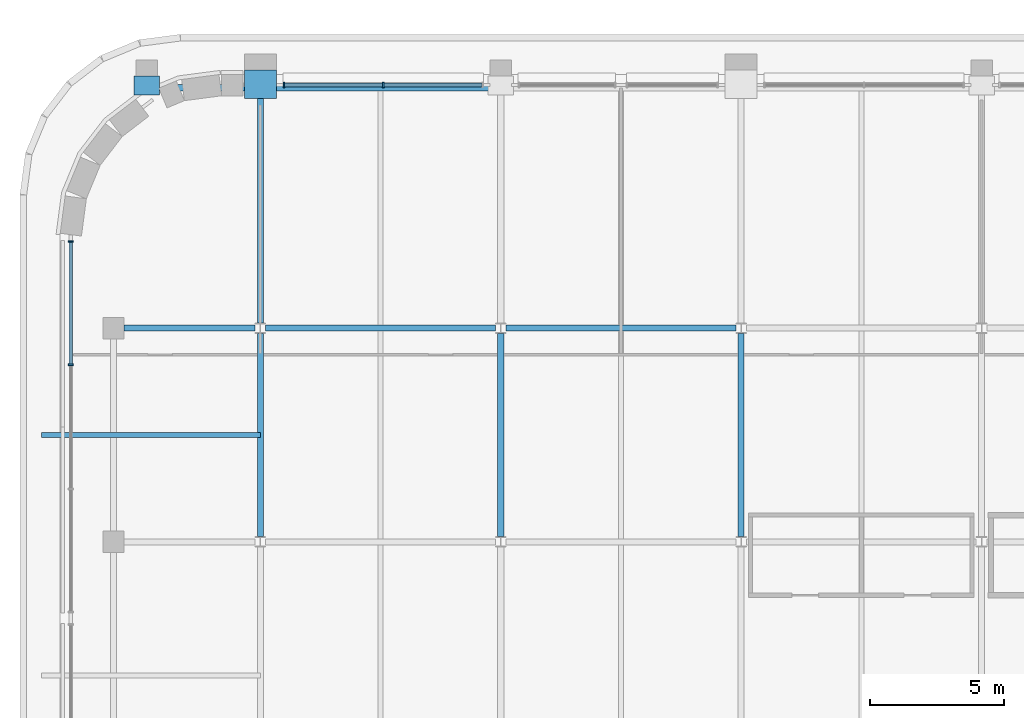
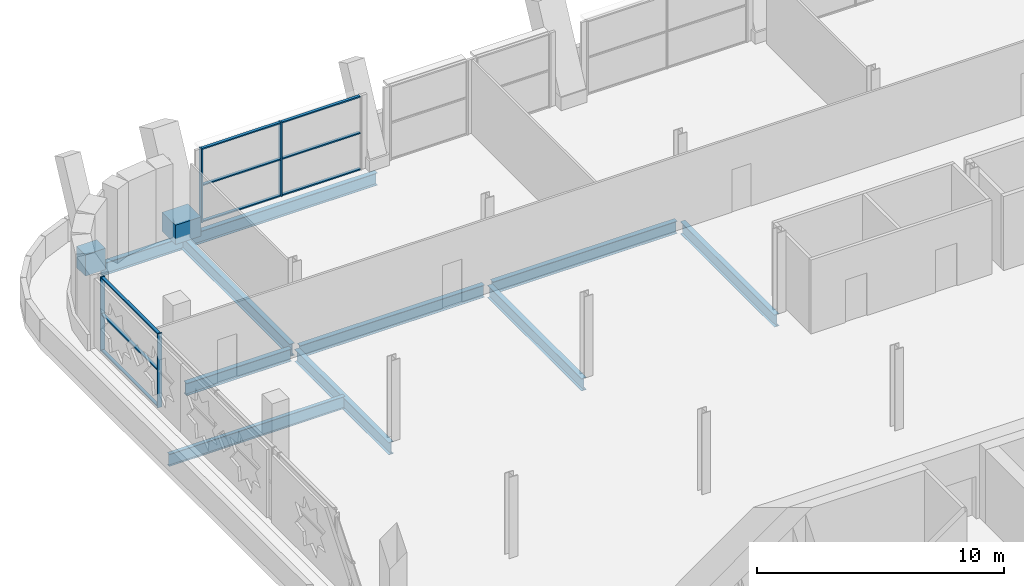
# One storey, part 9 of 25: 13 members, 11 beams, 2 elements without a shape of their own.
"""IFC4 building model written with IfcOpenShell, lengths in metres."""

import ifcopenshell
import ifcopenshell.guid

model = None  # the IFC model being written
_history = None  # IfcOwnerHistory: only IFC2X3 demands one
_inside = {}  # id of a spatial element -> (the spatial element, [elements in it])
_under = {}  # id of a project, library or spatial element -> (it, [spatial elements below it])
_declared = {}  # id of a project -> (the project, [libraries it declares])
_typed = {}  # id of a type object -> (the type object, [elements of that type])
_made_of = {}  # id of a material, layer set ... -> (it, [elements and type objects made of it])


def new_model(schema):
    """Start an empty IFC model of exactly this schema.

    Asked for "IFC4X3", IfcOpenShell would pick the latest addendum, in which some entities
    have other attributes; the version numbers below select the first issue.
    IFC2X3 requires an IfcOwnerHistory on every rooted entity: one is made here for all.
    """
    global model, _history
    if schema == "IFC4X3":
        model = ifcopenshell.file(schema_version=(4, 3, 0, 0))
    else:
        model = ifcopenshell.file(schema=schema)
    _inside.clear()
    _under.clear()
    _declared.clear()
    _typed.clear()
    _made_of.clear()
    _history = None
    if model.schema == "IFC2X3":
        org = make("IfcOrganization", Name="unknown")
        user = make(
            "IfcPersonAndOrganization",
            ThePerson=make("IfcPerson", FamilyName="unknown"),
            TheOrganization=org,
        )
        app = make(
            "IfcApplication",
            ApplicationDeveloper=org,
            Version="unknown",
            ApplicationFullName="unknown",
            ApplicationIdentifier="unknown",
        )
        _history = make(
            "IfcOwnerHistory",
            OwningUser=user,
            OwningApplication=app,
            ChangeAction="ADDED",
            CreationDate=0,
        )
    return model


def make(cls, **values):
    """One entity of the class cls with the attributes given. An attribute that is None is left unset."""
    return model.create_entity(
        cls, **{name: value for name, value in values.items() if value is not None}
    )


def rooted(cls, **values):
    """An entity with a GlobalId (a new one), such as an element, a storey or a relation."""
    return make(cls, GlobalId=ifcopenshell.guid.new(), OwnerHistory=_history, **values)


def si_unit(unit_type, name, prefix=None):
    """IfcSIUnit, for example si_unit("LENGTHUNIT", "METRE", prefix="MILLI")."""
    return make("IfcSIUnit", UnitType=unit_type, Prefix=prefix, Name=name)


def assignment(units):
    """IfcUnitAssignment: the units of a project."""
    return None if units is None else make("IfcUnitAssignment", Units=units)


def point(xyz):
    """IfcCartesianPoint."""
    return None if xyz is None else make("IfcCartesianPoint", Coordinates=xyz)


def direction(xyz):
    """IfcDirection."""
    return None if xyz is None else make("IfcDirection", DirectionRatios=xyz)


def frame(location, z_axis=None, x_axis=None):
    """IfcAxis2Placement3D, a coordinate frame: its origin and axes. An axis left out is left unset."""
    return make(
        "IfcAxis2Placement3D",
        Location=point(location),
        Axis=direction(z_axis),
        RefDirection=direction(x_axis),
    )


def frame_2d(location, x_axis=None):
    """IfcAxis2Placement2D, a coordinate frame in the plane: its origin and x axis."""
    return make(
        "IfcAxis2Placement2D", Location=point(location), RefDirection=direction(x_axis)
    )


def origin():
    """The frame at (0, 0, 0) with its axes left unset."""
    return frame((0.0, 0.0, 0.0))


def origin_2d():
    """The frame at (0, 0) in the plane with its x axis left unset."""
    return frame_2d((0.0, 0.0))


def place(relative_to, where):
    """IfcLocalPlacement: puts the frame where relative to a parent placement (None: the world)."""
    return make(
        "IfcLocalPlacement", PlacementRelTo=relative_to, RelativePlacement=where
    )


def context(
    kind, dimensions, precision=None, world=None, true_north=None, identifier=None
):
    """IfcGeometricRepresentationContext, for example the 3D "Model" context."""
    return make(
        "IfcGeometricRepresentationContext",
        ContextIdentifier=identifier,
        ContextType=kind,
        CoordinateSpaceDimension=dimensions,
        Precision=precision,
        WorldCoordinateSystem=world,
        TrueNorth=true_north,
    )


def subcontext(parent, identifier, kind, view, scale=None):
    """IfcGeometricRepresentationSubContext, for example "Body" below "Model"."""
    return make(
        "IfcGeometricRepresentationSubContext",
        ContextIdentifier=identifier,
        ContextType=kind,
        ParentContext=parent,
        TargetScale=scale,
        TargetView=view,
    )


def project(units=None, contexts=None):
    """IfcProject with its units and contexts."""
    return rooted(
        "IfcProject",
        Name="project",
        RepresentationContexts=contexts,
        UnitsInContext=assignment(units),
    )


def spatial(cls, under=None, at=None, **own):
    """A site, building, storey or space (cls), placed at a placement, below another one or the project."""
    s = rooted(cls, ObjectPlacement=at, **own)
    if under is not None:
        _under.setdefault(under.id(), (under, []))[1].append(s)
    return s


def profile(cls, at=None, kind="AREA", **sizes):
    """A parametric profile (cls). Its sizes go by their IFC names, for example OverallWidth=200.0."""
    return make(cls, ProfileType=kind, Position=at, **sizes)


def rectangle(**sizes):
    """IfcRectangleProfileDef."""
    return profile("IfcRectangleProfileDef", **sizes)


def i_section(**sizes):
    """IfcIShapeProfileDef."""
    return profile("IfcIShapeProfileDef", **sizes)


def extrude(swept, where, along, depth):
    """IfcExtrudedAreaSolid: the profile swept, set in the frame where, extruded along a direction by depth."""
    return make(
        "IfcExtrudedAreaSolid",
        SweptArea=swept,
        Position=where,
        ExtrudedDirection=direction(along),
        Depth=depth,
    )


def shape(context_of_items, identifier, shape_type, items):
    """IfcShapeRepresentation: the items that make up one representation, for example the "Body"."""
    return make(
        "IfcShapeRepresentation",
        ContextOfItems=context_of_items,
        RepresentationIdentifier=identifier,
        RepresentationType=shape_type,
        Items=items,
    )


def material(Name=None, Category=None):
    """IfcMaterial."""
    return make("IfcMaterial", Name=Name, Category=Category)


def material_profile(
    of_material, cross_section, Name=None, Category=None, Priority=None
):
    """IfcMaterialProfile: a cross section and its material."""
    return make(
        "IfcMaterialProfile",
        Name=Name,
        Material=of_material,
        Profile=cross_section,
        Priority=Priority,
        Category=Category,
    )


def profile_set(profiles, Name=None, composite=None):
    """IfcMaterialProfileSet."""
    return make(
        "IfcMaterialProfileSet",
        Name=Name,
        MaterialProfiles=profiles,
        CompositeProfile=composite,
    )


def made_of(thing, what):
    """Note that an element or type object is made of a material, layer set ...; save() writes the relation."""
    if what is not None:
        _made_of.setdefault(what.id(), (what, []))[1].append(thing)
    return thing


def type_object(cls, material=None, **own):
    """A type object (cls), such as IfcWallType, which elements share."""
    return made_of(rooted(cls, **own), material)


def element(
    cls,
    number,
    at=None,
    inside=None,
    cuts=None,
    type_object=None,
    material=None,
    context=None,
    identifier="Body",
    shape_type=None,
    held_by="IfcProductDefinitionShape",
    body=None,
    shapes=None,
    **own,
):
    """One element of the class cls, such as IfcWall. Its Tag is "e" and its number.

    at: its placement. inside: the storey or other place that contains it. cuts: it is an
    opening in that element (IfcRelVoidsElement). A single representation is given by context,
    identifier, shape_type and body (its items); several are given by shapes. held_by: the class
    of the entity that holds the representations. save() writes the other relations.
    """
    e = rooted(cls, Tag="e%d" % number, ObjectPlacement=at, **own)
    if body is not None:
        shapes = [shape(context, identifier, shape_type, body)]
    if shapes is not None:
        e.Representation = make(held_by, Representations=shapes)
    if inside is not None:
        _inside.setdefault(inside.id(), (inside, []))[1].append(e)
    if cuts is not None:
        rooted(
            "IfcRelVoidsElement", RelatingBuildingElement=cuts, RelatedOpeningElement=e
        )
    if type_object is not None:
        _typed.setdefault(type_object.id(), (type_object, []))[1].append(e)
    return made_of(e, material)


def aggregate(whole, parts):
    """IfcRelAggregates: a whole, such as a stair, and the parts it consists of."""
    return rooted("IfcRelAggregates", RelatingObject=whole, RelatedObjects=parts)


def save(model, path):
    """Write the relations noted so far, then the file.

    IfcRelAggregates (storeys below a building ...), IfcRelContainedInSpatialStructure (elements
    in a storey), IfcRelDefinesByType, IfcRelAssociatesMaterial and IfcRelDeclares: one each for
    every whole, place, type object, material and project.
    """
    for whole, parts in _under.values():
        aggregate(whole, parts)
    for where, things in _inside.values():
        rooted(
            "IfcRelContainedInSpatialStructure",
            RelatedElements=things,
            RelatingStructure=where,
        )
    for kind, things in _typed.values():
        rooted("IfcRelDefinesByType", RelatedObjects=things, RelatingType=kind)
    for what, things in _made_of.values():
        rooted("IfcRelAssociatesMaterial", RelatedObjects=things, RelatingMaterial=what)
    for by, libraries in _declared.values():
        rooted("IfcRelDeclares", RelatingContext=by, RelatedDefinitions=libraries)
    model.write(path)


model = new_model("IFC4")

# Units and contexts
model_context = context("Model", 3, precision=1e-05, world=origin(), true_north=direction((0.0, 1.0)))
body_context = subcontext(model_context, "Body", "Model", "MODEL_VIEW")
ifc_project = project(units=[si_unit("LENGTHUNIT", "METRE"), si_unit("AREAUNIT", "SQUARE_METRE"), si_unit("VOLUMEUNIT", "CUBIC_METRE"), si_unit("PLANEANGLEUNIT", "RADIAN"), si_unit("MASSUNIT", "GRAM", prefix="KILO")], contexts=[model_context])

# Site, building, storey
site_placement = place(None, origin())
site = spatial("IfcSite", under=ifc_project, at=site_placement, CompositionType="ELEMENT")
building_placement = place(site_placement, origin())
building = spatial("IfcBuilding", under=site, at=building_placement, Name="Zellij Exchange Tower", CompositionType="ELEMENT")
storey_placement = place(building_placement, frame((0.0, 0.0, 264.5)))
storey = spatial("IfcBuildingStorey", under=building, at=storey_placement, Name="L62", CompositionType="ELEMENT", Elevation=264.5)

# Curtain wall, members
ifc_material_1 = material(Name="Aluminium frame, clear insulating glass", Category="aluminium")
curtain_wall_type = type_object("IfcCurtainWallType", Name="ENV-CW6 Sky-lobby glazing", PredefinedType="NOTDEFINED", material=ifc_material_1)
curtain_wall_1_placement = place(storey_placement, origin())
curtain_wall_1 = element("IfcCurtainWall", 1, at=curtain_wall_1_placement, inside=storey, type_object=curtain_wall_type, Name="cw.L62.14i", PredefinedType="NOTDEFINED")
ifc_material_2 = material(Name="Aluminium", Category="aluminium")
ifc_material_profile_1 = material_profile(ifc_material_2, rectangle(XDim=0.06005859375, YDim=0.199951171875, at=origin_2d()), Name="AL 60x200")
ifc_profile_set_1 = profile_set([ifc_material_profile_1], Name="Aluminium")
member_type_1 = type_object("IfcMemberType", Name="ENV-CW6M Mullion 60x200", PredefinedType="MULLION", material=ifc_profile_set_1)
member_1_placement = place(storey_placement, frame((-22.39990234375, 31.10009765625, 0.0), z_axis=(0.0, 0.0, 1.0), x_axis=(-1.0, 0.0, 0.0)))
member_1 = element("IfcMember", 2, at=member_1_placement, type_object=member_type_1, Name="CW6 mullion 2", PredefinedType="MULLION", context=body_context, shape_type="SweptSolid", body=[
    extrude(rectangle(XDim=0.06005859375, YDim=0.199951171875, at=origin_2d()), origin(), (0.0, 0.0, 1.0), 3.64990234375),
])
member_2_placement = place(storey_placement, frame((-26.1201171875, 31.10009765625, 0.0), z_axis=(0.0, 0.0, 1.0), x_axis=(-1.0, 0.0, 0.0)))
member_2 = element("IfcMember", 3, at=member_2_placement, type_object=member_type_1, Name="CW6 mullion 3", PredefinedType="MULLION", context=body_context, shape_type="SweptSolid", body=[
    extrude(rectangle(XDim=0.06005859375, YDim=0.199951171875, at=origin_2d()), origin(), (0.0, 0.0, 1.0), 3.64990234375),
])

curtain_wall_2_placement = place(storey_placement, origin())
curtain_wall_2 = element("IfcCurtainWall", 4, at=curtain_wall_2_placement, inside=storey, type_object=curtain_wall_type, Name="cw.L62.21a", PredefinedType="NOTDEFINED")
member_3_placement = place(storey_placement, frame((-34.10009765625, 25.243896484375, 0.0), z_axis=(0.0, 0.0, 1.0), x_axis=(0.0, -1.0, 0.0)))
member_3 = element("IfcMember", 5, at=member_3_placement, type_object=member_type_1, Name="CW6 mullion 1", PredefinedType="MULLION", context=body_context, shape_type="SweptSolid", body=[
    extrude(rectangle(XDim=0.06005859375, YDim=0.199951171875, at=origin_2d()), origin(), (0.0, 0.0, 1.0), 3.64990234375),
])
member_4_placement = place(storey_placement, frame((-34.10009765625, 20.62890625, 0.0), z_axis=(0.0, 0.0, 1.0), x_axis=(0.0, -1.0, 0.0)))
member_4 = element("IfcMember", 6, at=member_4_placement, type_object=member_type_1, Name="CW6 mullion 2", PredefinedType="MULLION", context=body_context, shape_type="SweptSolid", body=[
    extrude(rectangle(XDim=0.06005859375, YDim=0.199951171875, at=origin_2d()), origin(), (0.0, 0.0, 1.0), 3.64990234375),
])

# Member
ifc_material_profile_2 = material_profile(ifc_material_2, rectangle(XDim=0.139892578125, YDim=0.06005859375, at=origin_2d()), Name="AL 140x60")
ifc_profile_set_2 = profile_set([ifc_material_profile_2], Name="Aluminium")
member_type_2 = type_object("IfcMemberType", Name="ENV-CW6T Transom 140x60", PredefinedType="USERDEFINED", material=ifc_profile_set_2)
member_5_placement = place(storey_placement, frame((-18.7099609375, 31.10009765625, 0.030029296875), z_axis=(-1.0, 0.0, 0.0), x_axis=(0.0, -1.0, 0.0)))
member_5 = element("IfcMember", 7, at=member_5_placement, type_object=member_type_2, Name="CW6 transom 1.1", ObjectType="TRANSOM", PredefinedType="USERDEFINED", context=body_context, shape_type="SweptSolid", body=[
    extrude(rectangle(XDim=0.139892578125, YDim=0.06005859375, at=origin_2d()), origin(), (0.0, 0.0, 1.0), 3.66015625),
])

member_6_placement = place(storey_placement, frame((-18.7099609375, 31.10009765625, 1.824951171875), z_axis=(-1.0, 0.0, 0.0), x_axis=(0.0, -1.0, 0.0)))
member_6 = element("IfcMember", 8, at=member_6_placement, type_object=member_type_2, Name="CW6 transom 1.2", ObjectType="TRANSOM", PredefinedType="USERDEFINED", context=body_context, shape_type="SweptSolid", body=[
    extrude(rectangle(XDim=0.139892578125, YDim=0.06005859375, at=origin_2d()), origin(), (0.0, 0.0, 1.0), 3.66015625),
])

member_7_placement = place(storey_placement, frame((-18.7099609375, 31.10009765625, 3.6201171875), z_axis=(-1.0, 0.0, 0.0), x_axis=(0.0, -1.0, 0.0)))
member_7 = element("IfcMember", 9, at=member_7_placement, type_object=member_type_2, Name="CW6 transom 1.3", ObjectType="TRANSOM", PredefinedType="USERDEFINED", context=body_context, shape_type="SweptSolid", body=[
    extrude(rectangle(XDim=0.139892578125, YDim=0.06005859375, at=origin_2d()), origin(), (0.0, 0.0, 1.0), 3.66015625),
])

member_8_placement = place(storey_placement, frame((-22.429931640625, 31.10009765625, 0.030029296875), z_axis=(-1.0, 0.0, 0.0), x_axis=(0.0, -1.0, 0.0)))
member_8 = element("IfcMember", 10, at=member_8_placement, type_object=member_type_2, Name="CW6 transom 2.1", ObjectType="TRANSOM", PredefinedType="USERDEFINED", context=body_context, shape_type="SweptSolid", body=[
    extrude(rectangle(XDim=0.139892578125, YDim=0.06005859375, at=origin_2d()), origin(), (0.0, 0.0, 1.0), 3.66015625),
])

member_9_placement = place(storey_placement, frame((-22.429931640625, 31.10009765625, 1.824951171875), z_axis=(-1.0, 0.0, 0.0), x_axis=(0.0, -1.0, 0.0)))
member_9 = element("IfcMember", 11, at=member_9_placement, type_object=member_type_2, Name="CW6 transom 2.2", ObjectType="TRANSOM", PredefinedType="USERDEFINED", context=body_context, shape_type="SweptSolid", body=[
    extrude(rectangle(XDim=0.139892578125, YDim=0.06005859375, at=origin_2d()), origin(), (0.0, 0.0, 1.0), 3.66015625),
])

member_10_placement = place(storey_placement, frame((-22.429931640625, 31.10009765625, 3.6201171875), z_axis=(-1.0, 0.0, 0.0), x_axis=(0.0, -1.0, 0.0)))
member_10 = element("IfcMember", 12, at=member_10_placement, type_object=member_type_2, Name="CW6 transom 2.3", ObjectType="TRANSOM", PredefinedType="USERDEFINED", context=body_context, shape_type="SweptSolid", body=[
    extrude(rectangle(XDim=0.139892578125, YDim=0.06005859375, at=origin_2d()), origin(), (0.0, 0.0, 1.0), 3.66015625),
])

aggregate(curtain_wall_1, [member_1, member_2, member_5, member_6, member_7, member_8, member_9, member_10])

member_11_placement = place(storey_placement, frame((-34.10009765625, 25.2138671875, 0.030029296875), z_axis=(0.0, -1.0, 0.0), x_axis=(1.0, 0.0, 0.0)))
member_11 = element("IfcMember", 13, at=member_11_placement, type_object=member_type_2, Name="CW6 transom 1.1", ObjectType="TRANSOM", PredefinedType="USERDEFINED", context=body_context, shape_type="SweptSolid", body=[
    extrude(rectangle(XDim=0.139892578125, YDim=0.06005859375, at=origin_2d()), origin(), (0.0, 0.0, 1.0), 4.554931640625),
])

member_12_placement = place(storey_placement, frame((-34.10009765625, 25.2138671875, 1.824951171875), z_axis=(0.0, -1.0, 0.0), x_axis=(1.0, 0.0, 0.0)))
member_12 = element("IfcMember", 14, at=member_12_placement, type_object=member_type_2, Name="CW6 transom 1.2", ObjectType="TRANSOM", PredefinedType="USERDEFINED", context=body_context, shape_type="SweptSolid", body=[
    extrude(rectangle(XDim=0.139892578125, YDim=0.06005859375, at=origin_2d()), origin(), (0.0, 0.0, 1.0), 4.554931640625),
])

member_13_placement = place(storey_placement, frame((-34.10009765625, 25.2138671875, 3.6201171875), z_axis=(0.0, -1.0, 0.0), x_axis=(1.0, 0.0, 0.0)))
member_13 = element("IfcMember", 15, at=member_13_placement, type_object=member_type_2, Name="CW6 transom 1.3", ObjectType="TRANSOM", PredefinedType="USERDEFINED", context=body_context, shape_type="SweptSolid", body=[
    extrude(rectangle(XDim=0.139892578125, YDim=0.06005859375, at=origin_2d()), origin(), (0.0, 0.0, 1.0), 4.554931640625),
])

aggregate(curtain_wall_2, [member_3, member_4, member_11, member_12, member_13])

# Beams
ifc_material_3 = material(Name="Structural steel ASTM A992 Gr 50", Category="steel")
ifc_material_profile_3 = material_profile(ifc_material_3, i_section(OverallWidth=0.177978515625, OverallDepth=0.599365234375, WebThickness=0.010009765625, FlangeThickness=0.012939453125, at=origin_2d()), Name="W24x55")
ifc_profile_set_3 = profile_set([ifc_material_profile_3], Name="Structural steel ASTM A992 Gr 50")
beam_type_1 = type_object("IfcBeamType", Name="STR-BEAM W24x55", PredefinedType="BEAM", material=ifc_profile_set_3)
beam_1_placement = place(storey_placement, frame((-35.199951171875, 18.0, -0.599609375), z_axis=(1.0, 0.0, 0.0), x_axis=(0.0, 1.0, 0.0)))
element("IfcBeam", 16, at=beam_1_placement, inside=storey, type_object=beam_type_1, Name="B4", PredefinedType="BEAM", context=body_context, shape_type="SweptSolid", body=[
    extrude(i_section(OverallWidth=0.177978515625, OverallDepth=0.599365234375, WebThickness=0.010009765625, FlangeThickness=0.012939453125, at=origin_2d()), origin(), (0.0, 0.0, 1.0), 8.199951171875),
])
ifc_material_profile_4 = material_profile(ifc_material_3, i_section(OverallWidth=0.228271484375, OverallDepth=0.607177734375, WebThickness=0.01123046875, FlangeThickness=0.017333984375, at=origin_2d()), Name="W24x76")
ifc_profile_set_4 = profile_set([ifc_material_profile_4], Name="Structural steel ASTM A992 Gr 50")
beam_type_2 = type_object("IfcBeamType", Name="STR-GIRDER W24x76", PredefinedType="BEAM", material=ifc_profile_set_4)
beam_2_placement = place(storey_placement, frame((-32.10009765625, 22.0, -0.603515625), z_axis=(1.0, 0.0, 0.0), x_axis=(0.0, 1.0, 0.0)))
element("IfcBeam", 17, at=beam_2_placement, inside=storey, type_object=beam_type_2, Name="G2", PredefinedType="BEAM", context=body_context, shape_type="SweptSolid", body=[
    extrude(i_section(OverallWidth=0.228271484375, OverallDepth=0.607177734375, WebThickness=0.01123046875, FlangeThickness=0.017333984375, at=origin_2d()), origin(), (0.0, 0.0, 1.0), 4.900634765625),
])
for number, where, z_axis, x_axis, name in (
    (18, (-26.800537109375, 22.0, -0.603515625), (1.0, 0.0, 0.0), (0.0, 1.0, 0.0), "G2"),
    (19, (-17.800537109375, 22.0, -0.603515625), (1.0, 0.0, 0.0), (0.0, 1.0, 0.0), "G2"),
):
    element("IfcBeam", number, at=place(storey_placement, frame(where, z_axis=z_axis, x_axis=x_axis)), inside=storey, type_object=beam_type_2, Name=name, PredefinedType="BEAM", context=body_context, shape_type="SweptSolid", body=[
        extrude(i_section(OverallWidth=0.228271484375, OverallDepth=0.607177734375, WebThickness=0.01123046875, FlangeThickness=0.017333984375, at=origin_2d()), origin(), (0.0, 0.0, 1.0), 8.60107421875),
    ])
beam_3_placement = place(storey_placement, frame((-30.85009765625, 31.0, -0.603515625), z_axis=(1.0, 0.0, 0.0), x_axis=(0.0, 1.0, 0.0)))
element("IfcBeam", 20, at=beam_3_placement, inside=storey, type_object=beam_type_2, Name="G2", PredefinedType="BEAM", context=body_context, shape_type="SweptSolid", body=[
    extrude(i_section(OverallWidth=0.228271484375, OverallDepth=0.607177734375, WebThickness=0.01123046875, FlangeThickness=0.017333984375, at=origin_2d()), origin(), (0.0, 0.0, 1.0), 12.85009765625),
])
beam_4_placement = place(storey_placement, frame((-27.0, 14.193115234375, -0.603515625), z_axis=(0.0, 1.0, 0.0), x_axis=(-1.0, 0.0, 0.0)))
element("IfcBeam", 21, at=beam_4_placement, inside=storey, type_object=beam_type_2, Name="G2", PredefinedType="BEAM", context=body_context, shape_type="SweptSolid", body=[
    extrude(i_section(OverallWidth=0.228271484375, OverallDepth=0.607177734375, WebThickness=0.01123046875, FlangeThickness=0.017333984375, at=origin_2d()), origin(), (0.0, 0.0, 1.0), 7.61376953125),
])
beam_5_placement = place(storey_placement, frame((-27.0, 22.193115234375, -0.603515625), z_axis=(0.0, 1.0, 0.0), x_axis=(-1.0, 0.0, 0.0)))
element("IfcBeam", 22, at=beam_5_placement, inside=storey, type_object=beam_type_2, Name="G2", PredefinedType="BEAM", context=body_context, shape_type="SweptSolid", body=[
    extrude(i_section(OverallWidth=0.228271484375, OverallDepth=0.607177734375, WebThickness=0.01123046875, FlangeThickness=0.017333984375, at=origin_2d()), origin(), (0.0, 0.0, 1.0), 8.806884765625),
])
for number, where, z_axis, x_axis, name in (
    (23, (-18.0, 14.193115234375, -0.603515625), (0.0, 1.0, 0.0), (-1.0, 0.0, 0.0), "G2"),
    (24, (-9.0, 14.193115234375, -0.603515625), (0.0, 1.0, 0.0), (-1.0, 0.0, 0.0), "G2"),
):
    element("IfcBeam", number, at=place(storey_placement, frame(where, z_axis=z_axis, x_axis=x_axis)), inside=storey, type_object=beam_type_2, Name=name, PredefinedType="BEAM", context=body_context, shape_type="SweptSolid", body=[
        extrude(i_section(OverallWidth=0.228271484375, OverallDepth=0.607177734375, WebThickness=0.01123046875, FlangeThickness=0.017333984375, at=origin_2d()), origin(), (0.0, 0.0, 1.0), 7.61376953125),
    ])
ifc_material_4 = material(Name="Concrete C50/60", Category="concrete")
ifc_material_profile_5 = material_profile(ifc_material_4, rectangle(XDim=1.199951171875, YDim=0.949951171875, at=origin_2d()), Name="STR-KNUCKLE BLOCK RC1200x950 C50/60")
ifc_profile_set_5 = profile_set([ifc_material_profile_5], Name="Concrete C50/60")
beam_type_3 = type_object("IfcBeamType", Name="STR-KNUCKLE BLOCK RC1200x950 C50/60", PredefinedType="BEAM", material=ifc_profile_set_5)
beam_6_placement = place(storey_placement, frame((-27.0, 30.597412109375, 0.175048828125), z_axis=(0.0, 1.0, 0.0), x_axis=(-1.0, 0.0, 0.0)))
element("IfcBeam", 25, at=beam_6_placement, inside=storey, type_object=beam_type_3, Name="KB6", PredefinedType="BEAM", context=body_context, shape_type="SweptSolid", body=[
    extrude(rectangle(XDim=1.199951171875, YDim=0.949951171875, at=origin_2d()), origin(), (0.0, 0.0, 1.0), 1.073486328125),
])
ifc_material_profile_6 = material_profile(ifc_material_4, rectangle(XDim=0.949951171875, YDim=1.050048828125, at=origin_2d()), Name="STR-KNUCKLE BLOCK RC950x1050 C50/60")
ifc_profile_set_6 = profile_set([ifc_material_profile_6], Name="Concrete C50/60")
beam_type_4 = type_object("IfcBeamType", Name="STR-KNUCKLE BLOCK RC950x1050 C50/60", PredefinedType="BEAM", material=ifc_profile_set_6)
beam_7_placement = place(storey_placement, frame((-31.25, 30.731689453125, 0.02490234375), z_axis=(0.0, 1.0, 0.0), x_axis=(-1.0, 0.0, 0.0)))
element("IfcBeam", 26, at=beam_7_placement, inside=storey, type_object=beam_type_4, Name="KB1", PredefinedType="BEAM", context=body_context, shape_type="SweptSolid", body=[
    extrude(rectangle(XDim=0.949951171875, YDim=1.050048828125, at=origin_2d()), origin(), (0.0, 0.0, 1.0), 0.715576171875),
])

save(model, "model.ifc")
